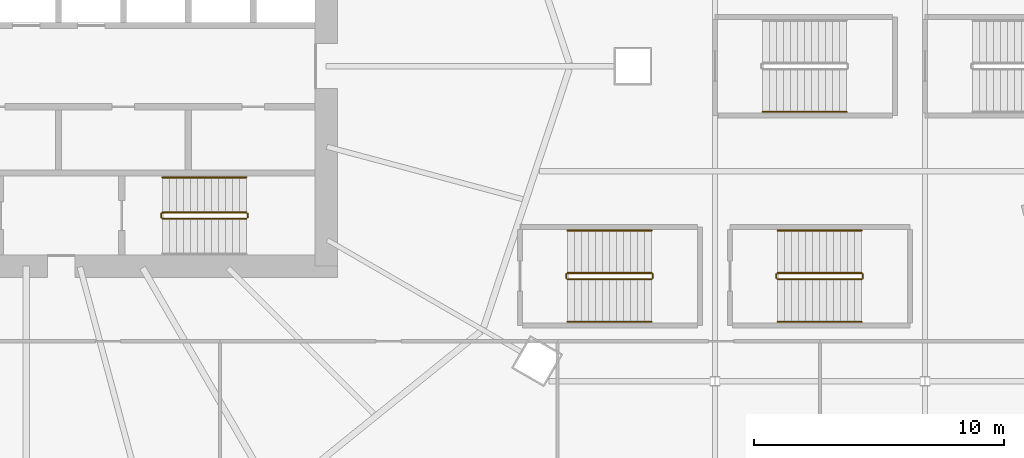
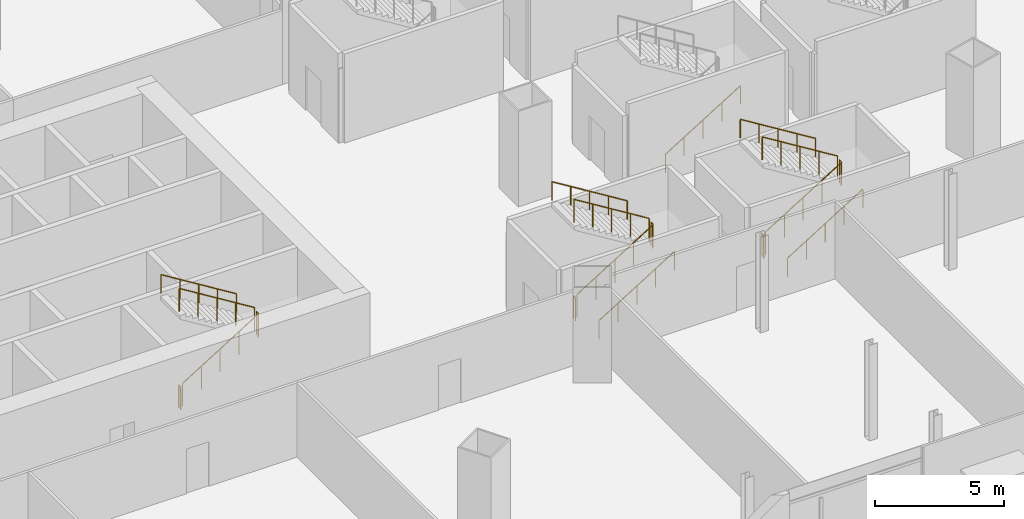
# One storey, part 44 of 52: 18 railings.
"""IFC4 building model written with IfcOpenShell, lengths in metres."""

from ifc_helpers import new_model, si_unit, direction, frame, origin, origin_2d, place, context, subcontext, project, spatial, circle, extrude, material, type_object, element, save


model = new_model("IFC4")

# Units and contexts
model_context = context("Model", 3, precision=1e-05, world=origin(), true_north=direction((0.0, 1.0)))
body_context = subcontext(model_context, "Body", "Model", "MODEL_VIEW")
ifc_project = project(units=[si_unit("LENGTHUNIT", "METRE"), si_unit("AREAUNIT", "SQUARE_METRE"), si_unit("VOLUMEUNIT", "CUBIC_METRE"), si_unit("PLANEANGLEUNIT", "RADIAN"), si_unit("MASSUNIT", "GRAM", prefix="KILO")], contexts=[model_context])

# Site, building, storey
site_placement = place(None, origin())
site = spatial("IfcSite", under=ifc_project, at=site_placement, CompositionType="ELEMENT")
building_placement = place(site_placement, origin())
building = spatial("IfcBuilding", under=site, at=building_placement, Name="Rimbun Link Towers", CompositionType="ELEMENT")
storey_placement = place(building_placement, frame((0.0, 0.0, 21.0)))
storey = spatial("IfcBuildingStorey", under=building, at=storey_placement, Name="L04", CompositionType="ELEMENT", Elevation=21.0)

# Railings
ifc_material_1 = material(Name="Stainless steel grade 316", Category="steel")
railing_type_1 = type_object("IfcRailingType", Name="Stair guard", PredefinedType="GUARDRAIL", material=ifc_material_1)
railing_1_placement = place(storey_placement, frame((-26.300048828125, -6.10009765625, 0.173095703125)))
element("IfcRailing", 1, at=railing_1_placement, inside=storey, type_object=railing_type_1, Name="L04 ST2 stair guard 1", PredefinedType="GUARDRAIL", context=body_context, shape_type="SweptSolid", body=[
    extrude(circle(Radius=0.02392578125, at=origin_2d()), frame((0.0, 0.0, 1.076171875), z_axis=(0.850623216509, 0.0, 0.525775754039), x_axis=(0.0, 1.0, 0.0)), (0.0, 0.0, 1.0), 3.9501953125),
    extrude(circle(Radius=0.02099609375, at=origin_2d()), origin(), (0.0, 0.0, 1.0), 1.052001953125),
    extrude(circle(Radius=0.02099609375, at=origin_2d()), frame((0.840087890625, 0.0, 0.519287109375)), (0.0, 0.0, 1.0), 1.052001953125),
    extrude(circle(Radius=0.02099609375, at=origin_2d()), frame((1.68017578125, 0.0, 1.03857421875)), (0.0, 0.0, 1.0), 1.052001953125),
    extrude(circle(Radius=0.02099609375, at=origin_2d()), frame((2.52001953125, 0.0, 1.5576171875)), (0.0, 0.0, 1.0), 1.052001953125),
    extrude(circle(Radius=0.02099609375, at=origin_2d()), frame((3.360107421875, 0.0, 2.076904296875)), (0.0, 0.0, 1.0), 1.052001953125),
])
railing_2_placement = place(storey_placement, frame((-22.889892578125, -6.050048828125, 2.25)))
element("IfcRailing", 2, at=railing_2_placement, inside=storey, type_object=railing_type_1, Name="L04 ST2 stair guard 2", PredefinedType="GUARDRAIL", context=body_context, shape_type="SweptSolid", body=[
    extrude(circle(Radius=0.02392578125, at=origin_2d()), frame((0.0, 0.0, 1.076171875), z_axis=(0.0, 1.0, 0.0), x_axis=(-1.0, 0.0, 0.0)), (0.0, 0.0, 1.0), 0.150146484375),
    extrude(circle(Radius=0.02099609375, at=origin_2d()), origin(), (0.0, 0.0, 1.0), 1.052001953125),
    extrude(circle(Radius=0.02099609375, at=origin_2d()), frame((0.0, 0.150146484375, 0.0)), (0.0, 0.0, 1.0), 1.052001953125),
])
railing_3_placement = place(storey_placement, frame((-22.93994140625, -5.85009765625, 2.423095703125)))
element("IfcRailing", 3, at=railing_3_placement, inside=storey, type_object=railing_type_1, Name="L04 ST2 stair guard 3", PredefinedType="GUARDRAIL", context=body_context, shape_type="SweptSolid", body=[
    extrude(circle(Radius=0.02392578125, at=origin_2d()), frame((0.0, 0.0, 1.076171875), z_axis=(-0.850623216509, 0.0, 0.525775754039), x_axis=(0.0, -1.0, 0.0)), (0.0, 0.0, 1.0), 3.9501953125),
    extrude(circle(Radius=0.02099609375, at=origin_2d()), origin(), (0.0, 0.0, 1.0), 1.052001953125),
    extrude(circle(Radius=0.02099609375, at=origin_2d()), frame((-0.840087890625, 0.0, 0.519287109375)), (0.0, 0.0, 1.0), 1.052001953125),
    extrude(circle(Radius=0.02099609375, at=origin_2d()), frame((-1.68017578125, 0.0, 1.03857421875)), (0.0, 0.0, 1.0), 1.052001953125),
    extrude(circle(Radius=0.02099609375, at=origin_2d()), frame((-2.52001953125, 0.0, 1.5576171875)), (0.0, 0.0, 1.0), 1.052001953125),
    extrude(circle(Radius=0.02099609375, at=origin_2d()), frame((-3.360107421875, 0.0, 2.076904296875)), (0.0, 0.0, 1.0), 1.052001953125),
])
railing_4_placement = place(storey_placement, frame((-26.35009765625, -6.050048828125, 0.0)))
element("IfcRailing", 4, at=railing_4_placement, inside=storey, type_object=railing_type_1, Name="L04 ST2 stair guard 4", PredefinedType="GUARDRAIL", context=body_context, shape_type="SweptSolid", body=[
    extrude(circle(Radius=0.02392578125, at=origin_2d()), frame((0.0, 0.0, 1.076171875), z_axis=(0.0, 1.0, 0.0), x_axis=(-1.0, 0.0, 0.0)), (0.0, 0.0, 1.0), 0.150146484375),
    extrude(circle(Radius=0.02099609375, at=origin_2d()), origin(), (0.0, 0.0, 1.0), 1.052001953125),
    extrude(circle(Radius=0.02099609375, at=origin_2d()), frame((0.0, 0.150146484375, 0.0)), (0.0, 0.0, 1.0), 1.052001953125),
])
railing_5_placement = place(storey_placement, frame((-10.10009765625, -8.52490234375, 0.173095703125)))
element("IfcRailing", 5, at=railing_5_placement, inside=storey, type_object=railing_type_1, Name="L04 PS1 stair guard 1", PredefinedType="GUARDRAIL", context=body_context, shape_type="SweptSolid", body=[
    extrude(circle(Radius=0.02392578125, at=origin_2d()), frame((0.0, 0.0, 1.076171875), z_axis=(0.850623216509, 0.0, 0.525775754039), x_axis=(0.0, 1.0, 0.0)), (0.0, 0.0, 1.0), 3.9501953125),
    extrude(circle(Radius=0.02099609375, at=origin_2d()), origin(), (0.0, 0.0, 1.0), 1.052001953125),
    extrude(circle(Radius=0.02099609375, at=origin_2d()), frame((0.840087890625, 0.0, 0.519287109375)), (0.0, 0.0, 1.0), 1.052001953125),
    extrude(circle(Radius=0.02099609375, at=origin_2d()), frame((1.68017578125, 0.0, 1.03857421875)), (0.0, 0.0, 1.0), 1.052001953125),
    extrude(circle(Radius=0.02099609375, at=origin_2d()), frame((2.52001953125, 0.0, 1.5576171875)), (0.0, 0.0, 1.0), 1.052001953125),
    extrude(circle(Radius=0.02099609375, at=origin_2d()), frame((3.360107421875, 0.0, 2.076904296875)), (0.0, 0.0, 1.0), 1.052001953125),
])
railing_6_placement = place(storey_placement, frame((-6.68994140625, -8.47509765625, 2.25)))
element("IfcRailing", 6, at=railing_6_placement, inside=storey, type_object=railing_type_1, Name="L04 PS1 stair guard 2", PredefinedType="GUARDRAIL", context=body_context, shape_type="SweptSolid", body=[
    extrude(circle(Radius=0.02392578125, at=origin_2d()), frame((0.0, 0.0, 1.076171875), z_axis=(0.0, 1.0, 0.0), x_axis=(-1.0, 0.0, 0.0)), (0.0, 0.0, 1.0), 0.150146484375),
    extrude(circle(Radius=0.02099609375, at=origin_2d()), origin(), (0.0, 0.0, 1.0), 1.052001953125),
    extrude(circle(Radius=0.02099609375, at=origin_2d()), frame((0.0, 0.150146484375, 0.0)), (0.0, 0.0, 1.0), 1.052001953125),
])
railing_7_placement = place(storey_placement, frame((-6.739990234375, -8.27490234375, 2.423095703125)))
element("IfcRailing", 7, at=railing_7_placement, inside=storey, type_object=railing_type_1, Name="L04 PS1 stair guard 3", PredefinedType="GUARDRAIL", context=body_context, shape_type="SweptSolid", body=[
    extrude(circle(Radius=0.02392578125, at=origin_2d()), frame((0.0, 0.0, 1.076171875), z_axis=(-0.850623216509, 0.0, 0.525775754039), x_axis=(0.0, -1.0, 0.0)), (0.0, 0.0, 1.0), 3.9501953125),
    extrude(circle(Radius=0.02099609375, at=origin_2d()), origin(), (0.0, 0.0, 1.0), 1.052001953125),
    extrude(circle(Radius=0.02099609375, at=origin_2d()), frame((-0.840087890625, 0.0, 0.519287109375)), (0.0, 0.0, 1.0), 1.052001953125),
    extrude(circle(Radius=0.02099609375, at=origin_2d()), frame((-1.68017578125, 0.0, 1.03857421875)), (0.0, 0.0, 1.0), 1.052001953125),
    extrude(circle(Radius=0.02099609375, at=origin_2d()), frame((-2.52001953125, 0.0, 1.5576171875)), (0.0, 0.0, 1.0), 1.052001953125),
    extrude(circle(Radius=0.02099609375, at=origin_2d()), frame((-3.360107421875, 0.0, 2.076904296875)), (0.0, 0.0, 1.0), 1.052001953125),
])
railing_8_placement = place(storey_placement, frame((-10.14990234375, -8.47509765625, 0.0)))
element("IfcRailing", 8, at=railing_8_placement, inside=storey, type_object=railing_type_1, Name="L04 PS1 stair guard 4", PredefinedType="GUARDRAIL", context=body_context, shape_type="SweptSolid", body=[
    extrude(circle(Radius=0.02392578125, at=origin_2d()), frame((0.0, 0.0, 1.076171875), z_axis=(0.0, 1.0, 0.0), x_axis=(-1.0, 0.0, 0.0)), (0.0, 0.0, 1.0), 0.150146484375),
    extrude(circle(Radius=0.02099609375, at=origin_2d()), origin(), (0.0, 0.0, 1.0), 1.052001953125),
    extrude(circle(Radius=0.02099609375, at=origin_2d()), frame((0.0, 0.150146484375, 0.0)), (0.0, 0.0, 1.0), 1.052001953125),
])
railing_9_placement = place(storey_placement, frame((-1.699951171875, -8.52490234375, 0.173095703125)))
element("IfcRailing", 9, at=railing_9_placement, inside=storey, type_object=railing_type_1, Name="L04 PS2 stair guard 1", PredefinedType="GUARDRAIL", context=body_context, shape_type="SweptSolid", body=[
    extrude(circle(Radius=0.02392578125, at=origin_2d()), frame((0.0, 0.0, 1.076171875), z_axis=(0.850606129759, 0.0, 0.525803396734), x_axis=(0.0, 1.0, 0.0)), (0.0, 0.0, 1.0), 3.949951171875),
    extrude(circle(Radius=0.02099609375, at=origin_2d()), origin(), (0.0, 0.0, 1.0), 1.052001953125),
    extrude(circle(Radius=0.02099609375, at=origin_2d()), frame((0.83984375, 0.0, 0.519287109375)), (0.0, 0.0, 1.0), 1.052001953125),
    extrude(circle(Radius=0.02099609375, at=origin_2d()), frame((1.679931640625, 0.0, 1.03857421875)), (0.0, 0.0, 1.0), 1.052001953125),
    extrude(circle(Radius=0.02099609375, at=origin_2d()), frame((2.52001953125, 0.0, 1.5576171875)), (0.0, 0.0, 1.0), 1.052001953125),
    extrude(circle(Radius=0.02099609375, at=origin_2d()), frame((3.35986328125, 0.0, 2.076904296875)), (0.0, 0.0, 1.0), 1.052001953125),
])
railing_10_placement = place(storey_placement, frame((1.7099609375, -8.47509765625, 2.25)))
element("IfcRailing", 10, at=railing_10_placement, inside=storey, type_object=railing_type_1, Name="L04 PS2 stair guard 2", PredefinedType="GUARDRAIL", context=body_context, shape_type="SweptSolid", body=[
    extrude(circle(Radius=0.02392578125, at=origin_2d()), frame((0.0, 0.0, 1.076171875), z_axis=(0.0, 1.0, 0.0), x_axis=(-1.0, 0.0, 0.0)), (0.0, 0.0, 1.0), 0.150146484375),
    extrude(circle(Radius=0.02099609375, at=origin_2d()), origin(), (0.0, 0.0, 1.0), 1.052001953125),
    extrude(circle(Radius=0.02099609375, at=origin_2d()), frame((0.0, 0.150146484375, 0.0)), (0.0, 0.0, 1.0), 1.052001953125),
])
railing_11_placement = place(storey_placement, frame((1.659912109375, -8.27490234375, 2.423095703125)))
element("IfcRailing", 11, at=railing_11_placement, inside=storey, type_object=railing_type_1, Name="L04 PS2 stair guard 3", PredefinedType="GUARDRAIL", context=body_context, shape_type="SweptSolid", body=[
    extrude(circle(Radius=0.02392578125, at=origin_2d()), frame((0.0, 0.0, 1.076171875), z_axis=(-0.850606129759, 0.0, 0.525803396734), x_axis=(0.0, -1.0, 0.0)), (0.0, 0.0, 1.0), 3.949951171875),
    extrude(circle(Radius=0.02099609375, at=origin_2d()), origin(), (0.0, 0.0, 1.0), 1.052001953125),
    extrude(circle(Radius=0.02099609375, at=origin_2d()), frame((-0.83984375, 0.0, 0.519287109375)), (0.0, 0.0, 1.0), 1.052001953125),
    extrude(circle(Radius=0.02099609375, at=origin_2d()), frame((-1.679931640625, 0.0, 1.03857421875)), (0.0, 0.0, 1.0), 1.052001953125),
    extrude(circle(Radius=0.02099609375, at=origin_2d()), frame((-2.52001953125, 0.0, 1.5576171875)), (0.0, 0.0, 1.0), 1.052001953125),
    extrude(circle(Radius=0.02099609375, at=origin_2d()), frame((-3.35986328125, 0.0, 2.076904296875)), (0.0, 0.0, 1.0), 1.052001953125),
])
railing_12_placement = place(storey_placement, frame((-1.75, -8.47509765625, 0.0)))
element("IfcRailing", 12, at=railing_12_placement, inside=storey, type_object=railing_type_1, Name="L04 PS2 stair guard 4", PredefinedType="GUARDRAIL", context=body_context, shape_type="SweptSolid", body=[
    extrude(circle(Radius=0.02392578125, at=origin_2d()), frame((0.0, 0.0, 1.076171875), z_axis=(0.0, 1.0, 0.0), x_axis=(-1.0, 0.0, 0.0)), (0.0, 0.0, 1.0), 0.150146484375),
    extrude(circle(Radius=0.02099609375, at=origin_2d()), origin(), (0.0, 0.0, 1.0), 1.052001953125),
    extrude(circle(Radius=0.02099609375, at=origin_2d()), frame((0.0, 0.150146484375, 0.0)), (0.0, 0.0, 1.0), 1.052001953125),
])
ifc_material_2 = material(Name="Stainless steel grade 316", Category="steel")
railing_type_2 = type_object("IfcRailingType", Name="Stair handrail", PredefinedType="HANDRAIL", material=ifc_material_2)
railing_13_placement = place(storey_placement, frame((-22.93994140625, -4.449951171875, 2.423095703125)))
element("IfcRailing", 13, at=railing_13_placement, inside=storey, type_object=railing_type_2, Name="L04 ST2 stair handrail 2", PredefinedType="HANDRAIL", context=body_context, shape_type="SweptSolid", body=[
    extrude(circle(Radius=0.02392578125, at=origin_2d()), frame((0.0, 0.0, 0.8759765625), z_axis=(-0.850623216509, 0.0, 0.525775754039), x_axis=(0.0, -1.0, 0.0)), (0.0, 0.0, 1.0), 3.9501953125),
    extrude(circle(Radius=0.02099609375, at=origin_2d()), origin(), (0.0, 0.0, 1.0), 0.851806640625),
    extrude(circle(Radius=0.02099609375, at=origin_2d()), frame((-0.840087890625, 0.0, 0.519287109375)), (0.0, 0.0, 1.0), 0.851806640625),
    extrude(circle(Radius=0.02099609375, at=origin_2d()), frame((-1.68017578125, 0.0, 1.03857421875)), (0.0, 0.0, 1.0), 0.851806640625),
    extrude(circle(Radius=0.02099609375, at=origin_2d()), frame((-2.52001953125, 0.0, 1.5576171875)), (0.0, 0.0, 1.0), 0.851806640625),
    extrude(circle(Radius=0.02099609375, at=origin_2d()), frame((-3.360107421875, 0.0, 2.076904296875)), (0.0, 0.0, 1.0), 0.851806640625),
])
railing_14_placement = place(storey_placement, frame((-10.10009765625, -10.22509765625, 0.173095703125)))
element("IfcRailing", 14, at=railing_14_placement, inside=storey, type_object=railing_type_2, Name="L04 PS1 stair handrail 1", PredefinedType="HANDRAIL", context=body_context, shape_type="SweptSolid", body=[
    extrude(circle(Radius=0.02392578125, at=origin_2d()), frame((0.0, 0.0, 0.8759765625), z_axis=(0.850623216509, 0.0, 0.525775754039), x_axis=(0.0, 1.0, 0.0)), (0.0, 0.0, 1.0), 3.9501953125),
    extrude(circle(Radius=0.02099609375, at=origin_2d()), origin(), (0.0, 0.0, 1.0), 0.851806640625),
    extrude(circle(Radius=0.02099609375, at=origin_2d()), frame((0.840087890625, 0.0, 0.519287109375)), (0.0, 0.0, 1.0), 0.851806640625),
    extrude(circle(Radius=0.02099609375, at=origin_2d()), frame((1.68017578125, 0.0, 1.03857421875)), (0.0, 0.0, 1.0), 0.851806640625),
    extrude(circle(Radius=0.02099609375, at=origin_2d()), frame((2.52001953125, 0.0, 1.5576171875)), (0.0, 0.0, 1.0), 0.851806640625),
    extrude(circle(Radius=0.02099609375, at=origin_2d()), frame((3.360107421875, 0.0, 2.076904296875)), (0.0, 0.0, 1.0), 0.851806640625),
])
railing_15_placement = place(storey_placement, frame((-6.739990234375, -6.574951171875, 2.423095703125)))
element("IfcRailing", 15, at=railing_15_placement, inside=storey, type_object=railing_type_2, Name="L04 PS1 stair handrail 2", PredefinedType="HANDRAIL", context=body_context, shape_type="SweptSolid", body=[
    extrude(circle(Radius=0.02392578125, at=origin_2d()), frame((0.0, 0.0, 0.8759765625), z_axis=(-0.850623216509, 0.0, 0.525775754039), x_axis=(0.0, -1.0, 0.0)), (0.0, 0.0, 1.0), 3.9501953125),
    extrude(circle(Radius=0.02099609375, at=origin_2d()), origin(), (0.0, 0.0, 1.0), 0.851806640625),
    extrude(circle(Radius=0.02099609375, at=origin_2d()), frame((-0.840087890625, 0.0, 0.519287109375)), (0.0, 0.0, 1.0), 0.851806640625),
    extrude(circle(Radius=0.02099609375, at=origin_2d()), frame((-1.68017578125, 0.0, 1.03857421875)), (0.0, 0.0, 1.0), 0.851806640625),
    extrude(circle(Radius=0.02099609375, at=origin_2d()), frame((-2.52001953125, 0.0, 1.5576171875)), (0.0, 0.0, 1.0), 0.851806640625),
    extrude(circle(Radius=0.02099609375, at=origin_2d()), frame((-3.360107421875, 0.0, 2.076904296875)), (0.0, 0.0, 1.0), 0.851806640625),
])
railing_16_placement = place(storey_placement, frame((-1.699951171875, -10.22509765625, 0.173095703125)))
element("IfcRailing", 16, at=railing_16_placement, inside=storey, type_object=railing_type_2, Name="L04 PS2 stair handrail 1", PredefinedType="HANDRAIL", context=body_context, shape_type="SweptSolid", body=[
    extrude(circle(Radius=0.02392578125, at=origin_2d()), frame((0.0, 0.0, 0.8759765625), z_axis=(0.850606129759, 0.0, 0.525803396734), x_axis=(0.0, 1.0, 0.0)), (0.0, 0.0, 1.0), 3.949951171875),
    extrude(circle(Radius=0.02099609375, at=origin_2d()), origin(), (0.0, 0.0, 1.0), 0.851806640625),
    extrude(circle(Radius=0.02099609375, at=origin_2d()), frame((0.83984375, 0.0, 0.519287109375)), (0.0, 0.0, 1.0), 0.851806640625),
    extrude(circle(Radius=0.02099609375, at=origin_2d()), frame((1.679931640625, 0.0, 1.03857421875)), (0.0, 0.0, 1.0), 0.851806640625),
    extrude(circle(Radius=0.02099609375, at=origin_2d()), frame((2.52001953125, 0.0, 1.5576171875)), (0.0, 0.0, 1.0), 0.851806640625),
    extrude(circle(Radius=0.02099609375, at=origin_2d()), frame((3.35986328125, 0.0, 2.076904296875)), (0.0, 0.0, 1.0), 0.851806640625),
])
railing_17_placement = place(storey_placement, frame((1.659912109375, -6.574951171875, 2.423095703125)))
element("IfcRailing", 17, at=railing_17_placement, inside=storey, type_object=railing_type_2, Name="L04 PS2 stair handrail 2", PredefinedType="HANDRAIL", context=body_context, shape_type="SweptSolid", body=[
    extrude(circle(Radius=0.02392578125, at=origin_2d()), frame((0.0, 0.0, 0.8759765625), z_axis=(-0.850606129759, 0.0, 0.525803396734), x_axis=(0.0, -1.0, 0.0)), (0.0, 0.0, 1.0), 3.949951171875),
    extrude(circle(Radius=0.02099609375, at=origin_2d()), origin(), (0.0, 0.0, 1.0), 0.851806640625),
    extrude(circle(Radius=0.02099609375, at=origin_2d()), frame((-0.83984375, 0.0, 0.519287109375)), (0.0, 0.0, 1.0), 0.851806640625),
    extrude(circle(Radius=0.02099609375, at=origin_2d()), frame((-1.679931640625, 0.0, 1.03857421875)), (0.0, 0.0, 1.0), 0.851806640625),
    extrude(circle(Radius=0.02099609375, at=origin_2d()), frame((-2.52001953125, 0.0, 1.5576171875)), (0.0, 0.0, 1.0), 0.851806640625),
    extrude(circle(Radius=0.02099609375, at=origin_2d()), frame((-3.35986328125, 0.0, 2.076904296875)), (0.0, 0.0, 1.0), 0.851806640625),
])
railing_18_placement = place(storey_placement, frame((-2.300048828125, -1.824951171875, 0.173095703125)))
element("IfcRailing", 18, at=railing_18_placement, inside=storey, type_object=railing_type_2, Name="L04 PS6 stair handrail 1", PredefinedType="HANDRAIL", context=body_context, shape_type="SweptSolid", body=[
    extrude(circle(Radius=0.02392578125, at=origin_2d()), frame((0.0, 0.0, 0.8759765625), z_axis=(0.850623216509, 0.0, 0.525775754039), x_axis=(0.0, 1.0, 0.0)), (0.0, 0.0, 1.0), 3.9501953125),
    extrude(circle(Radius=0.02099609375, at=origin_2d()), origin(), (0.0, 0.0, 1.0), 0.851806640625),
    extrude(circle(Radius=0.02099609375, at=origin_2d()), frame((0.840087890625, 0.0, 0.519287109375)), (0.0, 0.0, 1.0), 0.851806640625),
    extrude(circle(Radius=0.02099609375, at=origin_2d()), frame((1.68017578125, 0.0, 1.03857421875)), (0.0, 0.0, 1.0), 0.851806640625),
    extrude(circle(Radius=0.02099609375, at=origin_2d()), frame((2.52001953125, 0.0, 1.5576171875)), (0.0, 0.0, 1.0), 0.851806640625),
    extrude(circle(Radius=0.02099609375, at=origin_2d()), frame((3.360107421875, 0.0, 2.076904296875)), (0.0, 0.0, 1.0), 0.851806640625),
])

save(model, "model.ifc")
